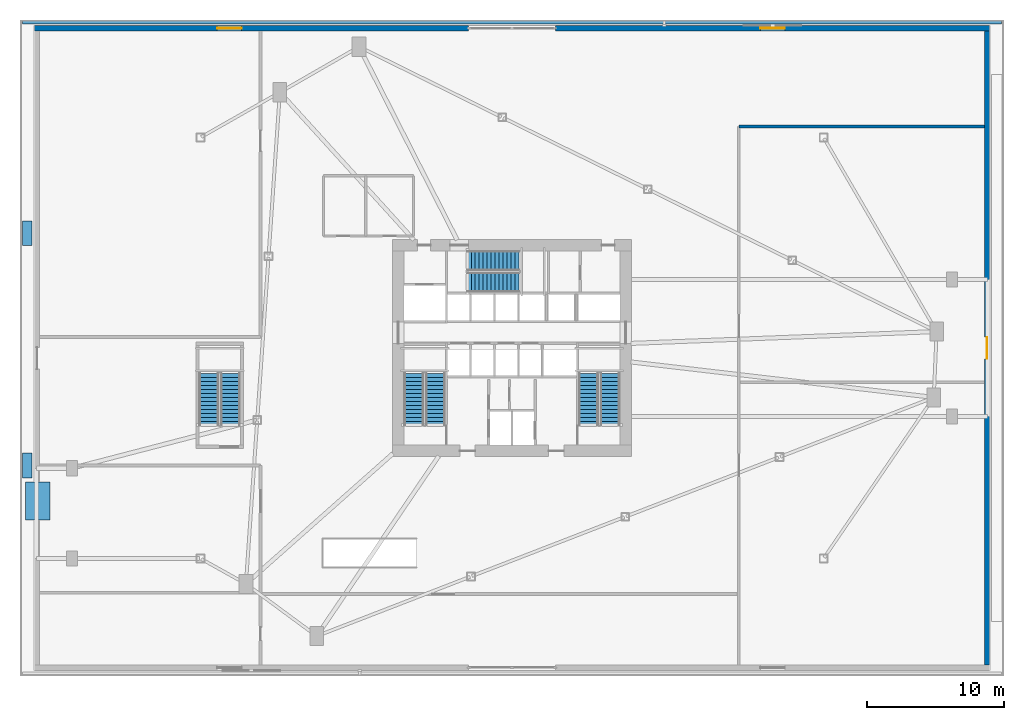
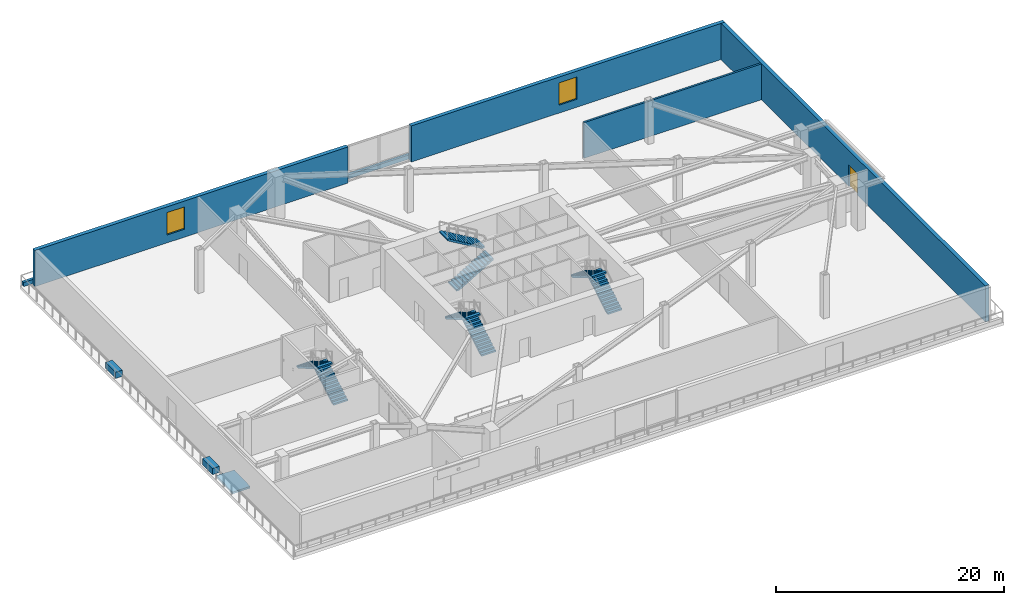
# One storey, part 9 of 14: 8 stair flights, 5 walls, 2 discrete accessories, 2 windows, 1 door, 1 ramp flight, 3 openings, 5 elements without a shape of their own.
"""IFC4 building model written with IfcOpenShell, lengths in metres."""

import ifcopenshell
import ifcopenshell.guid

model = None  # the IFC model being written
_history = None  # IfcOwnerHistory: only IFC2X3 demands one
_inside = {}  # id of a spatial element -> (the spatial element, [elements in it])
_under = {}  # id of a project, library or spatial element -> (it, [spatial elements below it])
_declared = {}  # id of a project -> (the project, [libraries it declares])
_typed = {}  # id of a type object -> (the type object, [elements of that type])
_made_of = {}  # id of a material, layer set ... -> (it, [elements and type objects made of it])


def new_model(schema):
    """Start an empty IFC model of exactly this schema.

    Asked for "IFC4X3", IfcOpenShell would pick the latest addendum, in which some entities
    have other attributes; the version numbers below select the first issue.
    IFC2X3 requires an IfcOwnerHistory on every rooted entity: one is made here for all.
    """
    global model, _history
    if schema == "IFC4X3":
        model = ifcopenshell.file(schema_version=(4, 3, 0, 0))
    else:
        model = ifcopenshell.file(schema=schema)
    _inside.clear()
    _under.clear()
    _declared.clear()
    _typed.clear()
    _made_of.clear()
    _history = None
    if model.schema == "IFC2X3":
        org = make("IfcOrganization", Name="unknown")
        user = make(
            "IfcPersonAndOrganization",
            ThePerson=make("IfcPerson", FamilyName="unknown"),
            TheOrganization=org,
        )
        app = make(
            "IfcApplication",
            ApplicationDeveloper=org,
            Version="unknown",
            ApplicationFullName="unknown",
            ApplicationIdentifier="unknown",
        )
        _history = make(
            "IfcOwnerHistory",
            OwningUser=user,
            OwningApplication=app,
            ChangeAction="ADDED",
            CreationDate=0,
        )
    return model


def make(cls, **values):
    """One entity of the class cls with the attributes given. An attribute that is None is left unset."""
    return model.create_entity(
        cls, **{name: value for name, value in values.items() if value is not None}
    )


def rooted(cls, **values):
    """An entity with a GlobalId (a new one), such as an element, a storey or a relation."""
    return make(cls, GlobalId=ifcopenshell.guid.new(), OwnerHistory=_history, **values)


def si_unit(unit_type, name, prefix=None):
    """IfcSIUnit, for example si_unit("LENGTHUNIT", "METRE", prefix="MILLI")."""
    return make("IfcSIUnit", UnitType=unit_type, Prefix=prefix, Name=name)


def assignment(units):
    """IfcUnitAssignment: the units of a project."""
    return None if units is None else make("IfcUnitAssignment", Units=units)


def point(xyz):
    """IfcCartesianPoint."""
    return None if xyz is None else make("IfcCartesianPoint", Coordinates=xyz)


def direction(xyz):
    """IfcDirection."""
    return None if xyz is None else make("IfcDirection", DirectionRatios=xyz)


def frame(location, z_axis=None, x_axis=None):
    """IfcAxis2Placement3D, a coordinate frame: its origin and axes. An axis left out is left unset."""
    return make(
        "IfcAxis2Placement3D",
        Location=point(location),
        Axis=direction(z_axis),
        RefDirection=direction(x_axis),
    )


def frame_2d(location, x_axis=None):
    """IfcAxis2Placement2D, a coordinate frame in the plane: its origin and x axis."""
    return make(
        "IfcAxis2Placement2D", Location=point(location), RefDirection=direction(x_axis)
    )


def origin():
    """The frame at (0, 0, 0) with its axes left unset."""
    return frame((0.0, 0.0, 0.0))


def origin_2d():
    """The frame at (0, 0) in the plane with its x axis left unset."""
    return frame_2d((0.0, 0.0))


def place(relative_to, where):
    """IfcLocalPlacement: puts the frame where relative to a parent placement (None: the world)."""
    return make(
        "IfcLocalPlacement", PlacementRelTo=relative_to, RelativePlacement=where
    )


def context(
    kind, dimensions, precision=None, world=None, true_north=None, identifier=None
):
    """IfcGeometricRepresentationContext, for example the 3D "Model" context."""
    return make(
        "IfcGeometricRepresentationContext",
        ContextIdentifier=identifier,
        ContextType=kind,
        CoordinateSpaceDimension=dimensions,
        Precision=precision,
        WorldCoordinateSystem=world,
        TrueNorth=true_north,
    )


def subcontext(parent, identifier, kind, view, scale=None):
    """IfcGeometricRepresentationSubContext, for example "Body" below "Model"."""
    return make(
        "IfcGeometricRepresentationSubContext",
        ContextIdentifier=identifier,
        ContextType=kind,
        ParentContext=parent,
        TargetScale=scale,
        TargetView=view,
    )


def project(units=None, contexts=None):
    """IfcProject with its units and contexts."""
    return rooted(
        "IfcProject",
        Name="project",
        RepresentationContexts=contexts,
        UnitsInContext=assignment(units),
    )


def spatial(cls, under=None, at=None, **own):
    """A site, building, storey or space (cls), placed at a placement, below another one or the project."""
    s = rooted(cls, ObjectPlacement=at, **own)
    if under is not None:
        _under.setdefault(under.id(), (under, []))[1].append(s)
    return s


def polyline(points):
    """IfcPolyline through the points."""
    return make("IfcPolyline", Points=[point(p) for p in points])


def profile(cls, at=None, kind="AREA", **sizes):
    """A parametric profile (cls). Its sizes go by their IFC names, for example OverallWidth=200.0."""
    return make(cls, ProfileType=kind, Position=at, **sizes)


def rectangle(**sizes):
    """IfcRectangleProfileDef."""
    return profile("IfcRectangleProfileDef", **sizes)


def outline(outer, holes=None, kind="AREA"):
    """IfcArbitraryClosedProfileDef: a profile drawn as a closed curve; with holes, ...WithVoids."""
    if holes is None:
        return make("IfcArbitraryClosedProfileDef", ProfileType=kind, OuterCurve=outer)
    return make(
        "IfcArbitraryProfileDefWithVoids",
        ProfileType=kind,
        OuterCurve=outer,
        InnerCurves=holes,
    )


def extrude(swept, where, along, depth):
    """IfcExtrudedAreaSolid: the profile swept, set in the frame where, extruded along a direction by depth."""
    return make(
        "IfcExtrudedAreaSolid",
        SweptArea=swept,
        Position=where,
        ExtrudedDirection=direction(along),
        Depth=depth,
    )


def shape(context_of_items, identifier, shape_type, items):
    """IfcShapeRepresentation: the items that make up one representation, for example the "Body"."""
    return make(
        "IfcShapeRepresentation",
        ContextOfItems=context_of_items,
        RepresentationIdentifier=identifier,
        RepresentationType=shape_type,
        Items=items,
    )


def source(mapping_origin, context_of_items, identifier, shape_type, items):
    """IfcRepresentationMap: a shape defined once, which mapped items show again and again."""
    return make(
        "IfcRepresentationMap",
        MappingOrigin=mapping_origin,
        MappedRepresentation=shape(context_of_items, identifier, shape_type, items),
    )


def transform(
    local_origin,
    x_axis=None,
    y_axis=None,
    z_axis=None,
    scale=None,
    scale2=None,
    scale3=None,
    uniform=True,
):
    """IfcCartesianTransformationOperator3D, or its non-uniform kind. x_axis, y_axis, z_axis: its Axis1, 2, 3."""
    if uniform:
        return make(
            "IfcCartesianTransformationOperator3D",
            Axis1=direction(x_axis),
            Axis2=direction(y_axis),
            LocalOrigin=point(local_origin),
            Scale=scale,
            Axis3=direction(z_axis),
        )
    return make(
        "IfcCartesianTransformationOperator3DnonUniform",
        Axis1=direction(x_axis),
        Axis2=direction(y_axis),
        LocalOrigin=point(local_origin),
        Scale=scale,
        Axis3=direction(z_axis),
        Scale2=scale2,
        Scale3=scale3,
    )


def mapped(mapping_source, mapping_target):
    """IfcMappedItem: shows the shape of a source again, moved by a transform."""
    return make(
        "IfcMappedItem", MappingSource=mapping_source, MappingTarget=mapping_target
    )


def material(Name=None, Category=None):
    """IfcMaterial."""
    return make("IfcMaterial", Name=Name, Category=Category)


def layer(
    of_material, thickness, ventilated=None, Name=None, Category=None, Priority=None
):
    """IfcMaterialLayer: one layer of a wall or slab, of a material (None: an air gap)."""
    return make(
        "IfcMaterialLayer",
        Material=of_material,
        LayerThickness=thickness,
        IsVentilated=ventilated,
        Name=Name,
        Category=Category,
        Priority=Priority,
    )


def layer_set(layers, Name=None):
    """IfcMaterialLayerSet."""
    return make("IfcMaterialLayerSet", MaterialLayers=layers, LayerSetName=Name)


def made_of(thing, what):
    """Note that an element or type object is made of a material, layer set ...; save() writes the relation."""
    if what is not None:
        _made_of.setdefault(what.id(), (what, []))[1].append(thing)
    return thing


def type_object(cls, material=None, **own):
    """A type object (cls), such as IfcWallType, which elements share."""
    return made_of(rooted(cls, **own), material)


def type_shapes(of_type, sources):
    """Give a type object the sources (RepresentationMaps) that its elements show as mapped items."""
    of_type.RepresentationMaps = sources


def element(
    cls,
    number,
    at=None,
    inside=None,
    cuts=None,
    type_object=None,
    material=None,
    context=None,
    identifier="Body",
    shape_type=None,
    held_by="IfcProductDefinitionShape",
    body=None,
    shapes=None,
    **own,
):
    """One element of the class cls, such as IfcWall. Its Tag is "e" and its number.

    at: its placement. inside: the storey or other place that contains it. cuts: it is an
    opening in that element (IfcRelVoidsElement). A single representation is given by context,
    identifier, shape_type and body (its items); several are given by shapes. held_by: the class
    of the entity that holds the representations. save() writes the other relations.
    """
    e = rooted(cls, Tag="e%d" % number, ObjectPlacement=at, **own)
    if body is not None:
        shapes = [shape(context, identifier, shape_type, body)]
    if shapes is not None:
        e.Representation = make(held_by, Representations=shapes)
    if inside is not None:
        _inside.setdefault(inside.id(), (inside, []))[1].append(e)
    if cuts is not None:
        rooted(
            "IfcRelVoidsElement", RelatingBuildingElement=cuts, RelatedOpeningElement=e
        )
    if type_object is not None:
        _typed.setdefault(type_object.id(), (type_object, []))[1].append(e)
    return made_of(e, material)


def fill(opening, filler):
    """IfcRelFillsElement: the door or window that sits in an opening."""
    return rooted(
        "IfcRelFillsElement",
        RelatingOpeningElement=opening,
        RelatedBuildingElement=filler,
    )


def aggregate(whole, parts):
    """IfcRelAggregates: a whole, such as a stair, and the parts it consists of."""
    return rooted("IfcRelAggregates", RelatingObject=whole, RelatedObjects=parts)


def save(model, path):
    """Write the relations noted so far, then the file.

    IfcRelAggregates (storeys below a building ...), IfcRelContainedInSpatialStructure (elements
    in a storey), IfcRelDefinesByType, IfcRelAssociatesMaterial and IfcRelDeclares: one each for
    every whole, place, type object, material and project.
    """
    for whole, parts in _under.values():
        aggregate(whole, parts)
    for where, things in _inside.values():
        rooted(
            "IfcRelContainedInSpatialStructure",
            RelatedElements=things,
            RelatingStructure=where,
        )
    for kind, things in _typed.values():
        rooted("IfcRelDefinesByType", RelatedObjects=things, RelatingType=kind)
    for what, things in _made_of.values():
        rooted("IfcRelAssociatesMaterial", RelatedObjects=things, RelatingMaterial=what)
    for by, libraries in _declared.values():
        rooted("IfcRelDeclares", RelatingContext=by, RelatedDefinitions=libraries)
    model.write(path)


model = new_model("IFC4")

# Units and contexts
model_context = context("Model", 3, precision=1e-05, world=origin(), true_north=direction((0.0, 1.0)))
body_context = subcontext(model_context, "Body", "Model", "MODEL_VIEW")
ifc_project = project(units=[si_unit("LENGTHUNIT", "METRE"), si_unit("AREAUNIT", "SQUARE_METRE"), si_unit("VOLUMEUNIT", "CUBIC_METRE"), si_unit("PLANEANGLEUNIT", "RADIAN"), si_unit("MASSUNIT", "GRAM", prefix="KILO")], contexts=[model_context])

# Site, building, storey
site_placement = place(None, origin())
site = spatial("IfcSite", under=ifc_project, at=site_placement, CompositionType="ELEMENT")
building_placement = place(site_placement, origin())
building = spatial("IfcBuilding", under=site, at=building_placement, Name="Olszyna Solenne Hotel", CompositionType="ELEMENT")
storey_placement = place(building_placement, frame((0.0, 0.0, 5.39990234375)))
storey = spatial("IfcBuildingStorey", under=building, at=storey_placement, Name="L01", CompositionType="ELEMENT", Elevation=5.39990234375)

# Wall, opening, window
ifc_material_1 = material(Name="Terracotta cladding on precast concrete C45/55", Category="masonry")
ifc_layer_1 = layer(ifc_material_1, 0.3798828125, Name="Terracotta cladding on precast concrete C45/55")
ifc_layer_set_1 = layer_set([ifc_layer_1], Name="Terracotta cladding on precast concrete C45/55")
wall_type_1 = type_object("IfcWallType", Name="WL-EX380", PredefinedType="SOLIDWALL", material=ifc_layer_set_1)
wall_1_placement = place(storey_placement, frame((3.050048828125, 49.989990234375, 0.0), z_axis=(0.0, 0.0, 1.0), x_axis=(1.0, 0.0, 0.0)))
wall_1 = element("IfcWall", 1, at=wall_1_placement, inside=storey, type_object=wall_type_1, Name="Podium terracotta-precast exterior wall EW-L01-NW", PredefinedType="SOLIDWALL", context=body_context, shape_type="SweptSolid", body=[
    extrude(rectangle(XDim=31.75, YDim=0.3798828125, at=frame_2d((15.875, 0.0))), origin(), (0.0, 0.0, 1.0), 3.8720703125),
])
opening_1_placement = place(wall_1_placement, frame((13.375, 0.0, 0.85009765625)))
opening_1 = element("IfcOpeningElement", 2, at=opening_1_placement, cuts=wall_1, Name="Opening WN-L01-007", PredefinedType="OPENING", context=body_context, shape_type="SweptSolid", body=[
    extrude(rectangle(XDim=1.800048828125, YDim=2.39990234375, at=frame_2d((0.89990234375, 1.199951171875))), frame((0.0, 0.199951171875, 0.0), z_axis=(0.0, -1.0, 0.0), x_axis=(1.0, 0.0, 0.0)), (0.0, 0.0, 1.0), 0.39990234375),
])
ifc_material_2 = material(Name="Low-E triple glazing", Category="glass")
window_type = type_object("IfcWindowType", Name="WN-PD2", PartitioningType="SINGLE_PANEL", PredefinedType="WINDOW", material=ifc_material_2)
shared_shape_1 = source(origin(), body_context, "Body", "SweptSolid", [
    extrude(rectangle(XDim=1.800048828125, YDim=2.39990234375, at=frame_2d((0.89990234375, 1.199951171875))), frame((0.0, 0.030029296875, 0.0), z_axis=(0.0, -1.0, 0.0), x_axis=(1.0, 0.0, 0.0)), (0.0, 0.0, 1.0), 0.06005859375),
])
type_shapes(window_type, [shared_shape_1])
window_1_placement = place(opening_1_placement, origin())
window_1 = element("IfcWindow", 3, at=window_1_placement, inside=storey, type_object=window_type, Name="Podium triple-glazed window WN-PD2 WN-L01-007", OverallHeight=2.39990234375, OverallWidth=1.800048828125, PartitioningType="SINGLE_PANEL", PredefinedType="WINDOW", context=body_context, shape_type="MappedRepresentation", body=[
    mapped(shared_shape_1, transform((0.0, 0.0, 0.0), x_axis=(1.0, 0.0, 0.0), y_axis=(0.0, 1.0, 0.0), z_axis=(0.0, 0.0, 1.0), scale=1.0)),
])
fill(opening_1, window_1)

wall_2_placement = place(storey_placement, frame((41.199951171875, 49.989990234375, 0.0), z_axis=(0.0, 0.0, 1.0), x_axis=(1.0, 0.0, 0.0)))
wall_2 = element("IfcWall", 4, at=wall_2_placement, inside=storey, type_object=wall_type_1, Name="Podium terracotta-precast exterior wall EW-L01-NE", PredefinedType="SOLIDWALL", context=body_context, shape_type="SweptSolid", body=[
    extrude(rectangle(XDim=31.75, YDim=0.3798828125, at=frame_2d((15.875, 0.0))), origin(), (0.0, 0.0, 1.0), 3.8720703125),
])
opening_2_placement = place(wall_2_placement, frame((14.97509765625, 0.0, 0.85009765625)))
opening_2 = element("IfcOpeningElement", 5, at=opening_2_placement, cuts=wall_2, Name="Opening WN-L01-008", PredefinedType="OPENING", context=body_context, shape_type="SweptSolid", body=[
    extrude(rectangle(XDim=1.800048828125, YDim=2.39990234375, at=frame_2d((0.89990234375, 1.199951171875))), frame((0.0, 0.199951171875, 0.0), z_axis=(0.0, -1.0, 0.0), x_axis=(1.0, 0.0, 0.0)), (0.0, 0.0, 1.0), 0.39990234375),
])
window_2_placement = place(opening_2_placement, origin())
window_2 = element("IfcWindow", 6, at=window_2_placement, inside=storey, type_object=window_type, Name="Podium triple-glazed window WN-PD2 WN-L01-008", OverallHeight=2.39990234375, OverallWidth=1.800048828125, PartitioningType="SINGLE_PANEL", PredefinedType="WINDOW", context=body_context, shape_type="MappedRepresentation", body=[
    mapped(shared_shape_1, transform((0.0, 0.0, 0.0), x_axis=(1.0, 0.0, 0.0), y_axis=(0.0, 1.0, 0.0), z_axis=(0.0, 0.0, 1.0), scale=1.0)),
])
fill(opening_2, window_2)

# Wall, opening, door
wall_3_placement = place(storey_placement, frame((72.760009765625, 49.800048828125, 0.0), z_axis=(0.0, 0.0, 1.0), x_axis=(0.0, -1.0, 0.0)))
wall_3 = element("IfcWall", 7, at=wall_3_placement, inside=storey, type_object=wall_type_1, Name="Podium terracotta-precast exterior wall EW-L01-E", PredefinedType="SOLIDWALL", context=body_context, shape_type="SweptSolid", body=[
    extrude(rectangle(XDim=46.400146484375, YDim=0.3798828125, at=frame_2d((23.2001953125, 0.0))), origin(), (0.0, 0.0, 1.0), 3.8720703125),
])
opening_3_placement = place(wall_3_placement, frame((22.39990234375, 0.0, 0.0)))
opening_3 = element("IfcOpeningElement", 8, at=opening_3_placement, cuts=wall_3, Name="Opening TD-L01-E", PredefinedType="OPENING", context=body_context, shape_type="SweptSolid", body=[
    extrude(rectangle(XDim=1.60009765625, YDim=2.300048828125, at=frame_2d((0.800048828125, 1.14990234375))), frame((0.0, 0.199951171875, 0.0), z_axis=(0.0, -1.0, 0.0), x_axis=(1.0, 0.0, 0.0)), (0.0, 0.0, 1.0), 0.39990234375),
])
ifc_material_3 = material(Name="Anodised bronze aluminium", Category="aluminium")
door_type = type_object("IfcDoorType", Name="DR-EX2", OperationType="DOUBLE_DOOR_SINGLE_SWING", PredefinedType="DOOR", material=ifc_material_3)
shared_shape_2 = source(origin(), body_context, "Body", "SweptSolid", [
    extrude(rectangle(XDim=1.60009765625, YDim=2.300048828125, at=frame_2d((0.800048828125, 1.14990234375))), frame((0.0, 0.02490234375, 0.0), z_axis=(0.0, -1.0, 0.0), x_axis=(1.0, 0.0, 0.0)), (0.0, 0.0, 1.0), 0.050048828125),
])
type_shapes(door_type, [shared_shape_2])
door_placement = place(opening_3_placement, origin())
door = element("IfcDoor", 9, at=door_placement, inside=storey, type_object=door_type, Name="Garden Terrace Double Door TD-L01-E", OperationType="DOUBLE_DOOR_SINGLE_SWING", OverallHeight=2.300048828125, OverallWidth=1.60009765625, PredefinedType="DOOR", context=body_context, shape_type="MappedRepresentation", body=[
    mapped(shared_shape_2, transform((0.0, 0.0, 0.0), x_axis=(1.0, 0.0, 0.0), y_axis=(0.0, 1.0, 0.0), z_axis=(0.0, 0.0, 1.0), scale=1.0)),
])
fill(opening_3, door)

# Walls
ifc_layer_2 = layer(ifc_material_1, 0.280029296875, Name="Terracotta cladding on precast concrete C45/55")
ifc_layer_set_2 = layer_set([ifc_layer_2], Name="Terracotta cladding on precast concrete C45/55")
wall_type_2 = type_object("IfcWallType", Name="WL-PR280", PredefinedType="PARAPET", material=ifc_layer_set_2)
wall_4_placement = place(storey_placement, frame((2.199951171875, 50.43994140625, 0.0), z_axis=(0.0, 0.0, 1.0), x_axis=(1.0, 0.0, 0.0)))
element("IfcWall", 10, at=wall_4_placement, inside=storey, type_object=wall_type_2, Name="Garden terrace parapet upstand PR-L01-N", PredefinedType="PARAPET", context=body_context, shape_type="SweptSolid", body=[
    extrude(rectangle(XDim=71.60009765625, YDim=0.280029296875, at=frame_2d((35.800048828125, 0.0))), origin(), (0.0, 0.0, 1.0), 0.4501953125),
])
ifc_material_4 = material(Name="Acoustic gypsum partition", Category="gypsum")
ifc_layer_3 = layer(ifc_material_4, 0.199951171875, Name="Acoustic gypsum partition")
ifc_layer_set_3 = layer_set([ifc_layer_3], Name="Acoustic gypsum partition")
wall_type_3 = type_object("IfcWallType", Name="WL-PT200", PredefinedType="PARTITIONING", material=ifc_layer_set_3)
wall_5_placement = place(storey_placement, frame((54.60009765625, 42.800048828125, 0.0), z_axis=(0.0, 0.0, 1.0), x_axis=(1.0, 0.0, 0.0)))
element("IfcWall", 11, at=wall_5_placement, inside=storey, type_object=wall_type_3, Name="Interior acoustic partition WL-PT200 PW-L01-0143", PredefinedType="PARTITIONING", context=body_context, shape_type="SweptSolid", body=[
    extrude(rectangle(XDim=17.969970703125, YDim=0.199951171875, at=frame_2d((8.98486328125, 0.0))), origin(), (0.0, 0.0, 1.0), 3.830078125),
])

# Stair, stair flights
ifc_material_5 = material(Name="Concrete C40/50", Category="concrete")
stair_type_1 = type_object("IfcStairType", Name="STR-C1", PredefinedType="TWO_QUARTER_WINDING_STAIR", material=ifc_material_5)
stair_1_placement = place(storey_placement, origin())
stair_1 = element("IfcStair", 12, at=stair_1_placement, inside=storey, type_object=stair_type_1, Name="L01 ST1", PredefinedType="TWO_QUARTER_WINDING_STAIR")
stair_flight_type_1 = type_object("IfcStairFlightType", Name="FLT-C1", PredefinedType="STRAIGHT", material=ifc_material_5)
stair_flight_1_placement = place(storey_placement, frame((32.39501953125, 20.949951171875, 0.0), z_axis=(0.0, 0.0, 1.0), x_axis=(0.0, 1.0, 0.0)))
stair_flight_1 = element("IfcStairFlight", 13, at=stair_flight_1_placement, type_object=stair_flight_type_1, Name="ST1 flight 1", NumberOfRisers=14, NumberOfTreads=13, PredefinedType="STRAIGHT", RiserHeight=0.171428571, TreadLength=0.29, context=body_context, shape_type="SweptSolid", body=[
    extrude(outline(polyline([(0.0, 0.0), (0.0, 0.17138671875), (0.2900390625, 0.17138671875), (0.2900390625, 0.3427734375), (0.580078125, 0.3427734375), (0.580078125, 0.514404296875), (0.8701171875, 0.514404296875), (0.8701171875, 0.685791015625), (1.159912109375, 0.685791015625), (1.159912109375, 0.857177734375), (1.449951171875, 0.857177734375), (1.449951171875, 1.028564453125), (1.739990234375, 1.028564453125), (1.739990234375, 1.199951171875), (2.030029296875, 1.199951171875), (2.030029296875, 1.371337890625), (2.320068359375, 1.371337890625), (2.320068359375, 1.54296875), (2.610107421875, 1.54296875), (2.610107421875, 1.71435546875), (2.89990234375, 1.71435546875), (2.89990234375, 1.8857421875), (3.18994140625, 1.8857421875), (3.18994140625, 2.05712890625), (3.47998046875, 2.05712890625), (3.47998046875, 2.228515625), (3.77001953125, 2.228515625), (3.77001953125, 2.39990234375), (3.77001953125, 2.054443359375), (0.294677734375, 0.0), (0.0, 0.0)])), frame((0.0, 0.72509765625, 0.0), z_axis=(0.0, -1.0, 0.0), x_axis=(1.0, 0.0, 0.0)), (0.0, 0.0, 1.0), 1.449951171875),
])
stair_flight_2_placement = place(storey_placement, frame((30.824951171875, 24.719970703125, 2.400146484375), z_axis=(0.0, 0.0, 1.0), x_axis=(0.0, -1.0, 0.0)))
stair_flight_2 = element("IfcStairFlight", 14, at=stair_flight_2_placement, type_object=stair_flight_type_1, Name="ST1 flight 2", NumberOfRisers=14, NumberOfTreads=13, PredefinedType="STRAIGHT", RiserHeight=0.171428571, TreadLength=0.29, context=body_context, shape_type="SweptSolid", body=[
    extrude(outline(polyline([(0.0, 0.0), (0.0, 0.17138671875), (0.2900390625, 0.17138671875), (0.2900390625, 0.3427734375), (0.580078125, 0.3427734375), (0.580078125, 0.514404296875), (0.8701171875, 0.514404296875), (0.8701171875, 0.685791015625), (1.159912109375, 0.685791015625), (1.159912109375, 0.857177734375), (1.449951171875, 0.857177734375), (1.449951171875, 1.028564453125), (1.739990234375, 1.028564453125), (1.739990234375, 1.199951171875), (2.030029296875, 1.199951171875), (2.030029296875, 1.371337890625), (2.320068359375, 1.371337890625), (2.320068359375, 1.54296875), (2.610107421875, 1.54296875), (2.610107421875, 1.71435546875), (2.89990234375, 1.71435546875), (2.89990234375, 1.8857421875), (3.18994140625, 1.8857421875), (3.18994140625, 2.05712890625), (3.47998046875, 2.05712890625), (3.47998046875, 2.228515625), (3.77001953125, 2.228515625), (3.77001953125, 2.39990234375), (3.77001953125, 2.054443359375), (0.294677734375, 0.0), (0.0, 0.0)])), frame((0.0, 0.72509765625, 0.0), z_axis=(0.0, -1.0, 0.0), x_axis=(1.0, 0.0, 0.0)), (0.0, 0.0, 1.0), 1.449951171875),
])
aggregate(stair_1, [stair_flight_1, stair_flight_2])

stair_2_placement = place(storey_placement, origin())
stair_2 = element("IfcStair", 15, at=stair_2_placement, inside=storey, type_object=stair_type_1, Name="L01 ST2", PredefinedType="TWO_QUARTER_WINDING_STAIR")
stair_flight_3_placement = place(storey_placement, frame((45.175048828125, 20.949951171875, 0.0), z_axis=(0.0, 0.0, 1.0), x_axis=(0.0, 1.0, 0.0)))
stair_flight_3 = element("IfcStairFlight", 16, at=stair_flight_3_placement, type_object=stair_flight_type_1, Name="ST2 flight 1", NumberOfRisers=14, NumberOfTreads=13, PredefinedType="STRAIGHT", RiserHeight=0.171428571, TreadLength=0.29, context=body_context, shape_type="SweptSolid", body=[
    extrude(outline(polyline([(0.0, 0.0), (0.0, 0.17138671875), (0.2900390625, 0.17138671875), (0.2900390625, 0.3427734375), (0.580078125, 0.3427734375), (0.580078125, 0.514404296875), (0.8701171875, 0.514404296875), (0.8701171875, 0.685791015625), (1.159912109375, 0.685791015625), (1.159912109375, 0.857177734375), (1.449951171875, 0.857177734375), (1.449951171875, 1.028564453125), (1.739990234375, 1.028564453125), (1.739990234375, 1.199951171875), (2.030029296875, 1.199951171875), (2.030029296875, 1.371337890625), (2.320068359375, 1.371337890625), (2.320068359375, 1.54296875), (2.610107421875, 1.54296875), (2.610107421875, 1.71435546875), (2.89990234375, 1.71435546875), (2.89990234375, 1.8857421875), (3.18994140625, 1.8857421875), (3.18994140625, 2.05712890625), (3.47998046875, 2.05712890625), (3.47998046875, 2.228515625), (3.77001953125, 2.228515625), (3.77001953125, 2.39990234375), (3.77001953125, 2.054443359375), (0.294677734375, 0.0), (0.0, 0.0)])), frame((0.0, 0.72509765625, 0.0), z_axis=(0.0, -1.0, 0.0), x_axis=(1.0, 0.0, 0.0)), (0.0, 0.0, 1.0), 1.449951171875),
])
stair_flight_4_placement = place(storey_placement, frame((43.60498046875, 24.719970703125, 2.400146484375), z_axis=(0.0, 0.0, 1.0), x_axis=(0.0, -1.0, 0.0)))
stair_flight_4 = element("IfcStairFlight", 17, at=stair_flight_4_placement, type_object=stair_flight_type_1, Name="ST2 flight 2", NumberOfRisers=14, NumberOfTreads=13, PredefinedType="STRAIGHT", RiserHeight=0.171428571, TreadLength=0.29, context=body_context, shape_type="SweptSolid", body=[
    extrude(outline(polyline([(0.0, 0.0), (0.0, 0.17138671875), (0.2900390625, 0.17138671875), (0.2900390625, 0.3427734375), (0.580078125, 0.3427734375), (0.580078125, 0.514404296875), (0.8701171875, 0.514404296875), (0.8701171875, 0.685791015625), (1.159912109375, 0.685791015625), (1.159912109375, 0.857177734375), (1.449951171875, 0.857177734375), (1.449951171875, 1.028564453125), (1.739990234375, 1.028564453125), (1.739990234375, 1.199951171875), (2.030029296875, 1.199951171875), (2.030029296875, 1.371337890625), (2.320068359375, 1.371337890625), (2.320068359375, 1.54296875), (2.610107421875, 1.54296875), (2.610107421875, 1.71435546875), (2.89990234375, 1.71435546875), (2.89990234375, 1.8857421875), (3.18994140625, 1.8857421875), (3.18994140625, 2.05712890625), (3.47998046875, 2.05712890625), (3.47998046875, 2.228515625), (3.77001953125, 2.228515625), (3.77001953125, 2.39990234375), (3.77001953125, 2.054443359375), (0.294677734375, 0.0), (0.0, 0.0)])), frame((0.0, 0.72509765625, 0.0), z_axis=(0.0, -1.0, 0.0), x_axis=(1.0, 0.0, 0.0)), (0.0, 0.0, 1.0), 1.449951171875),
])
aggregate(stair_2, [stair_flight_3, stair_flight_4])

stair_3_placement = place(storey_placement, origin())
stair_3 = element("IfcStair", 18, at=stair_3_placement, inside=storey, type_object=stair_type_1, Name="L01 ST3", PredefinedType="TWO_QUARTER_WINDING_STAIR")
stair_flight_5_placement = place(storey_placement, frame((34.72998046875, 31.405029296875, 0.0), z_axis=(0.0, 0.0, 1.0), x_axis=(1.0, 0.0, 0.0)))
stair_flight_5 = element("IfcStairFlight", 19, at=stair_flight_5_placement, type_object=stair_flight_type_1, Name="ST3 flight 1", NumberOfRisers=14, NumberOfTreads=13, PredefinedType="STRAIGHT", RiserHeight=0.171428571, TreadLength=0.29, context=body_context, shape_type="SweptSolid", body=[
    extrude(outline(polyline([(0.0, 0.0), (0.0, 0.17138671875), (0.2900390625, 0.17138671875), (0.2900390625, 0.3427734375), (0.580078125, 0.3427734375), (0.580078125, 0.514404296875), (0.8701171875, 0.514404296875), (0.8701171875, 0.685791015625), (1.159912109375, 0.685791015625), (1.159912109375, 0.857177734375), (1.449951171875, 0.857177734375), (1.449951171875, 1.028564453125), (1.739990234375, 1.028564453125), (1.739990234375, 1.199951171875), (2.030029296875, 1.199951171875), (2.030029296875, 1.371337890625), (2.320068359375, 1.371337890625), (2.320068359375, 1.54296875), (2.610107421875, 1.54296875), (2.610107421875, 1.71435546875), (2.89990234375, 1.71435546875), (2.89990234375, 1.8857421875), (3.18994140625, 1.8857421875), (3.18994140625, 2.05712890625), (3.47998046875, 2.05712890625), (3.47998046875, 2.228515625), (3.77001953125, 2.228515625), (3.77001953125, 2.39990234375), (3.77001953125, 2.054443359375), (0.294677734375, 0.0), (0.0, 0.0)])), frame((0.0, 0.72509765625, 0.0), z_axis=(0.0, -1.0, 0.0), x_axis=(1.0, 0.0, 0.0)), (0.0, 0.0, 1.0), 1.449951171875),
])
stair_flight_6_placement = place(storey_placement, frame((38.5, 32.97509765625, 2.400146484375), z_axis=(0.0, 0.0, 1.0), x_axis=(-1.0, 0.0, 0.0)))
stair_flight_6 = element("IfcStairFlight", 20, at=stair_flight_6_placement, type_object=stair_flight_type_1, Name="ST3 flight 2", NumberOfRisers=14, NumberOfTreads=13, PredefinedType="STRAIGHT", RiserHeight=0.171428571, TreadLength=0.29, context=body_context, shape_type="SweptSolid", body=[
    extrude(outline(polyline([(0.0, 0.0), (0.0, 0.17138671875), (0.2900390625, 0.17138671875), (0.2900390625, 0.3427734375), (0.580078125, 0.3427734375), (0.580078125, 0.514404296875), (0.8701171875, 0.514404296875), (0.8701171875, 0.685791015625), (1.159912109375, 0.685791015625), (1.159912109375, 0.857177734375), (1.449951171875, 0.857177734375), (1.449951171875, 1.028564453125), (1.739990234375, 1.028564453125), (1.739990234375, 1.199951171875), (2.030029296875, 1.199951171875), (2.030029296875, 1.371337890625), (2.320068359375, 1.371337890625), (2.320068359375, 1.54296875), (2.610107421875, 1.54296875), (2.610107421875, 1.71435546875), (2.89990234375, 1.71435546875), (2.89990234375, 1.8857421875), (3.18994140625, 1.8857421875), (3.18994140625, 2.05712890625), (3.47998046875, 2.05712890625), (3.47998046875, 2.228515625), (3.77001953125, 2.228515625), (3.77001953125, 2.39990234375), (3.77001953125, 2.054443359375), (0.294677734375, 0.0), (0.0, 0.0)])), frame((0.0, 0.72509765625, 0.0), z_axis=(0.0, -1.0, 0.0), x_axis=(1.0, 0.0, 0.0)), (0.0, 0.0, 1.0), 1.449951171875),
])
aggregate(stair_3, [stair_flight_5, stair_flight_6])

stair_type_2 = type_object("IfcStairType", Name="STR-P1", PredefinedType="TWO_QUARTER_WINDING_STAIR", material=ifc_material_5)
stair_4_placement = place(storey_placement, origin())
stair_4 = element("IfcStair", 21, at=stair_4_placement, inside=storey, type_object=stair_type_2, Name="L01 ST4", PredefinedType="TWO_QUARTER_WINDING_STAIR")
stair_flight_type_2 = type_object("IfcStairFlightType", Name="FLT-P1", PredefinedType="STRAIGHT", material=ifc_material_5)
stair_flight_7_placement = place(storey_placement, frame((17.39501953125, 20.949951171875, 0.0), z_axis=(0.0, 0.0, 1.0), x_axis=(0.0, 1.0, 0.0)))
stair_flight_7 = element("IfcStairFlight", 22, at=stair_flight_7_placement, type_object=stair_flight_type_2, Name="ST4 flight 1", NumberOfRisers=14, NumberOfTreads=13, PredefinedType="STRAIGHT", RiserHeight=0.171428571, TreadLength=0.29, context=body_context, shape_type="SweptSolid", body=[
    extrude(outline(polyline([(0.0, 0.0), (0.0, 0.17138671875), (0.2900390625, 0.17138671875), (0.2900390625, 0.3427734375), (0.580078125, 0.3427734375), (0.580078125, 0.514404296875), (0.8701171875, 0.514404296875), (0.8701171875, 0.685791015625), (1.159912109375, 0.685791015625), (1.159912109375, 0.857177734375), (1.449951171875, 0.857177734375), (1.449951171875, 1.028564453125), (1.739990234375, 1.028564453125), (1.739990234375, 1.199951171875), (2.030029296875, 1.199951171875), (2.030029296875, 1.371337890625), (2.320068359375, 1.371337890625), (2.320068359375, 1.54296875), (2.610107421875, 1.54296875), (2.610107421875, 1.71435546875), (2.89990234375, 1.71435546875), (2.89990234375, 1.8857421875), (3.18994140625, 1.8857421875), (3.18994140625, 2.05712890625), (3.47998046875, 2.05712890625), (3.47998046875, 2.228515625), (3.77001953125, 2.228515625), (3.77001953125, 2.39990234375), (3.77001953125, 2.054443359375), (0.294677734375, 0.0), (0.0, 0.0)])), frame((0.0, 0.72509765625, 0.0), z_axis=(0.0, -1.0, 0.0), x_axis=(1.0, 0.0, 0.0)), (0.0, 0.0, 1.0), 1.449951171875),
])
stair_flight_8_placement = place(storey_placement, frame((15.824951171875, 24.719970703125, 2.400146484375), z_axis=(0.0, 0.0, 1.0), x_axis=(0.0, -1.0, 0.0)))
stair_flight_8 = element("IfcStairFlight", 23, at=stair_flight_8_placement, type_object=stair_flight_type_2, Name="ST4 flight 2", NumberOfRisers=14, NumberOfTreads=13, PredefinedType="STRAIGHT", RiserHeight=0.171428571, TreadLength=0.29, context=body_context, shape_type="SweptSolid", body=[
    extrude(outline(polyline([(0.0, 0.0), (0.0, 0.17138671875), (0.2900390625, 0.17138671875), (0.2900390625, 0.3427734375), (0.580078125, 0.3427734375), (0.580078125, 0.514404296875), (0.8701171875, 0.514404296875), (0.8701171875, 0.685791015625), (1.159912109375, 0.685791015625), (1.159912109375, 0.857177734375), (1.449951171875, 0.857177734375), (1.449951171875, 1.028564453125), (1.739990234375, 1.028564453125), (1.739990234375, 1.199951171875), (2.030029296875, 1.199951171875), (2.030029296875, 1.371337890625), (2.320068359375, 1.371337890625), (2.320068359375, 1.54296875), (2.610107421875, 1.54296875), (2.610107421875, 1.71435546875), (2.89990234375, 1.71435546875), (2.89990234375, 1.8857421875), (3.18994140625, 1.8857421875), (3.18994140625, 2.05712890625), (3.47998046875, 2.05712890625), (3.47998046875, 2.228515625), (3.77001953125, 2.228515625), (3.77001953125, 2.39990234375), (3.77001953125, 2.054443359375), (0.294677734375, 0.0), (0.0, 0.0)])), frame((0.0, 0.72509765625, 0.0), z_axis=(0.0, -1.0, 0.0), x_axis=(1.0, 0.0, 0.0)), (0.0, 0.0, 1.0), 1.449951171875),
])
aggregate(stair_4, [stair_flight_7, stair_flight_8])

# Ramp, ramp flight
ramp_type = type_object("IfcRampType", Name="RMP-PED", PredefinedType="STRAIGHT_RUN_RAMP", material=ifc_material_5)
ramp_placement = place(storey_placement, origin())
ramp = element("IfcRamp", 24, at=ramp_placement, inside=storey, type_object=ramp_type, Name="L01 cascading terrace accessible garden ramp RMP-P03", PredefinedType="STRAIGHT_RUN_RAMP")
ifc_layer_4 = layer(ifc_material_5, 0.199951171875, Name="Concrete C40/50")
ifc_layer_set_4 = layer_set([ifc_layer_4], Name="Concrete C40/50")
ramp_flight_type = type_object("IfcRampFlightType", Name="RFL-PED", PredefinedType="STRAIGHT", material=ifc_layer_set_4)
ramp_flight_placement = place(storey_placement, frame((2.39990234375, 14.0, -0.079833984375), z_axis=(0.0, -0.028500058384, 0.999593790833), x_axis=(1.0, 0.0, 0.0)))
ramp_flight = element("IfcRampFlight", 25, at=ramp_flight_placement, type_object=ramp_flight_type, Name="Accessible ramp flight RFL-P03", PredefinedType="STRAIGHT", context=body_context, shape_type="SweptSolid", body=[
    extrude(outline(polyline([(0.0, 0.0), (1.800048828125, 0.0), (1.800048828125, 2.8011866958389926), (0.0, 2.8011866958389926), (0.0, 0.0)])), origin(), (0.0, 0.0, -1.0), 0.199951171875),
])
aggregate(ramp, [ramp_flight])

# Discrete accessories
ifc_material_6 = material(Name="Precast concrete C45/55", Category="concrete")
discrete_accessory_type = type_object("IfcDiscreteAccessoryType", Name="PLN-01", PredefinedType="USERDEFINED", material=ifc_material_6)
shared_shape_3 = source(origin(), body_context, "Body", "SweptSolid", [
    extrude(rectangle(XDim=1.800048828125, YDim=0.699951171875, at=origin_2d()), origin(), (0.0, 0.0, 1.0), 0.64990234375),
])
for number, where, z_axis, x_axis, name in (
    (26, (2.52001953125, 18.0, 0.000244140625), (0.0, 0.0, 1.0), (0.0, 1.0, 0.0), "Terrace planted structural planter PLN-L01-1"),
    (27, (2.52001953125, 35.0, 0.000244140625), (0.0, 0.0, 1.0), (0.0, 1.0, 0.0), "Terrace planted structural planter PLN-L01-2"),
):
    element("IfcDiscreteAccessory", number, at=place(storey_placement, frame(where, z_axis=z_axis, x_axis=x_axis)), inside=storey, type_object=discrete_accessory_type, Name=name, ObjectType="PLANTER", PredefinedType="USERDEFINED", context=body_context, shape_type="MappedRepresentation", body=[
        mapped(shared_shape_3, transform((0.0, 0.0, 0.0), x_axis=(1.0, 0.0, 0.0), y_axis=(0.0, 1.0, 0.0), z_axis=(0.0, 0.0, 1.0), scale=1.0)),
    ])

save(model, "model.ifc")
